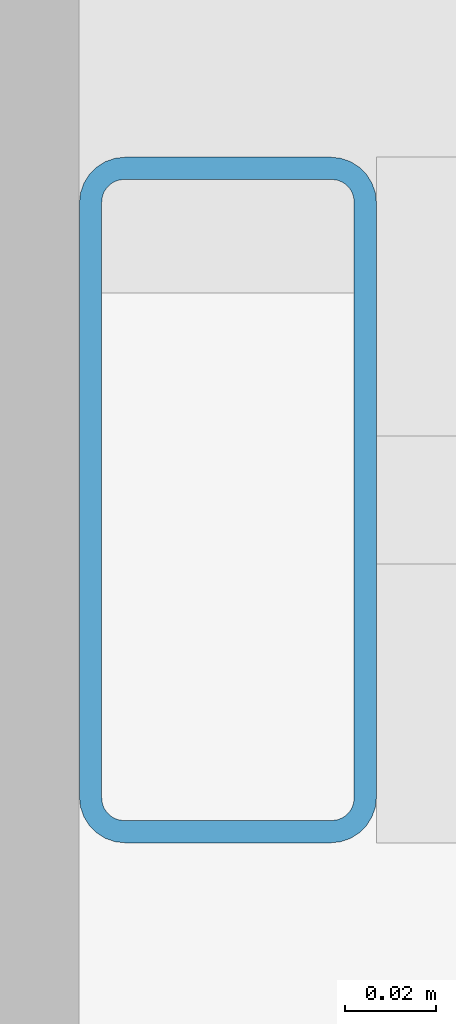
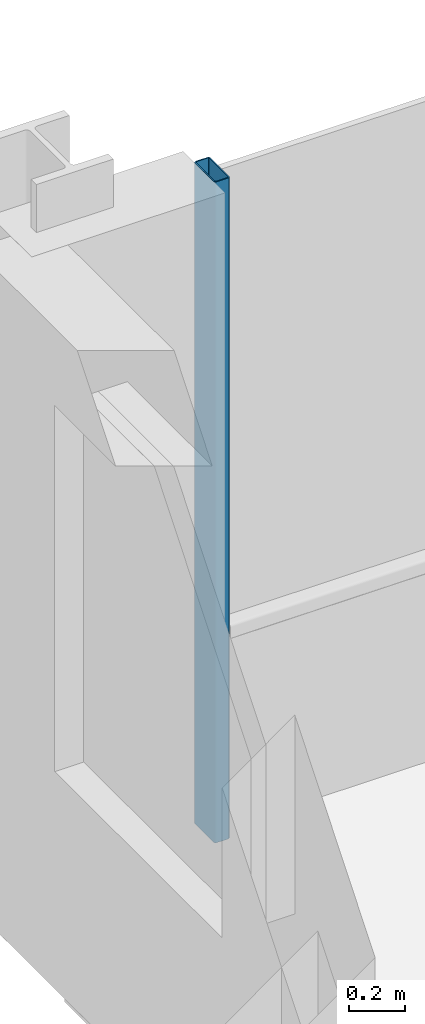
# One storey, part 3 of 17: 1 member, 1 element without a shape of its own.
"""IFC4 building model written with IfcOpenShell, lengths in metres."""

from ifc_helpers import new_model, si_unit, direction, frame, origin, origin_2d, place, context, subcontext, project, spatial, hollow_rectangle, extrude, material, layer, layer_set, material_profile, profile_set, type_object, element, aggregate, save


model = new_model("IFC4")

# Units and contexts
model_context = context("Model", 3, precision=1e-05, world=origin(), true_north=direction((0.0, 1.0)))
body_context = subcontext(model_context, "Body", "Model", "MODEL_VIEW")
ifc_project = project(units=[si_unit("LENGTHUNIT", "METRE"), si_unit("AREAUNIT", "SQUARE_METRE"), si_unit("VOLUMEUNIT", "CUBIC_METRE"), si_unit("PLANEANGLEUNIT", "RADIAN"), si_unit("MASSUNIT", "GRAM", prefix="KILO")], contexts=[model_context])

# Site, building, storey
site_placement = place(None, origin())
site = spatial("IfcSite", under=ifc_project, at=site_placement, CompositionType="ELEMENT")
building_placement = place(site_placement, origin())
building = spatial("IfcBuilding", under=site, at=building_placement, Name="Brevholm Reach", CompositionType="ELEMENT")
storey_placement = place(building_placement, frame((0.0, 0.0, 221.10009765625)))
storey = spatial("IfcBuildingStorey", under=building, at=storey_placement, Name="L67", CompositionType="ELEMENT", Elevation=221.10009765625)

# Curtain wall, member
ifc_material_1 = material(Name="Dark Anodised Aluminium 6063-T6 and Solar-Control Glass", Category="aluminium")
ifc_layer = layer(ifc_material_1, 0.14990234375)
ifc_layer_set = layer_set([ifc_layer], Name="Dark Anodised Aluminium 6063-T6 and Solar-Control Glass")
curtain_wall_type = type_object("IfcCurtainWallType", Name="CW-01", PredefinedType="NOTDEFINED", material=ifc_layer_set)
curtain_wall_placement = place(storey_placement, origin())
curtain_wall = element("IfcCurtainWall", 1, at=curtain_wall_placement, inside=storey, type_object=curtain_wall_type, Name="L67 Curtain Wall CW-01", PredefinedType="NOTDEFINED")
ifc_material_2 = material(Name="Dark Anodised Aluminium 6063-T6", Category="aluminium")
ifc_material_profile = material_profile(ifc_material_2, hollow_rectangle(XDim=0.06494140625, YDim=0.14990234375, WallThickness=0.0048828125, InnerFilletRadius=0.0048828125, OuterFilletRadius=0.010009765625, at=origin_2d()), Name="RHS 150x65x5")
ifc_profile_set = profile_set([ifc_material_profile], Name="Dark Anodised Aluminium 6063-T6")
member_type = type_object("IfcMemberType", Name="CWM-150", PredefinedType="MULLION", material=ifc_profile_set)
member_placement = place(storey_placement, frame((30.58251953125, 26.35009765625, 0.0), z_axis=(0.0, 0.0, 1.0), x_axis=(1.0, 0.0, 0.0)))
member = element("IfcMember", 2, at=member_placement, type_object=member_type, Name="CM-150 Mullion 1", PredefinedType="MULLION", context=body_context, shape_type="SweptSolid", body=[
    extrude(hollow_rectangle(XDim=0.06494140625, YDim=0.14990234375, WallThickness=0.0048828125, InnerFilletRadius=0.0048828125, OuterFilletRadius=0.010009765625, at=origin_2d()), origin(), (0.0, 0.0, 1.0), 2.889892578125),
])
aggregate(curtain_wall, [member])

save(model, "model.ifc")
